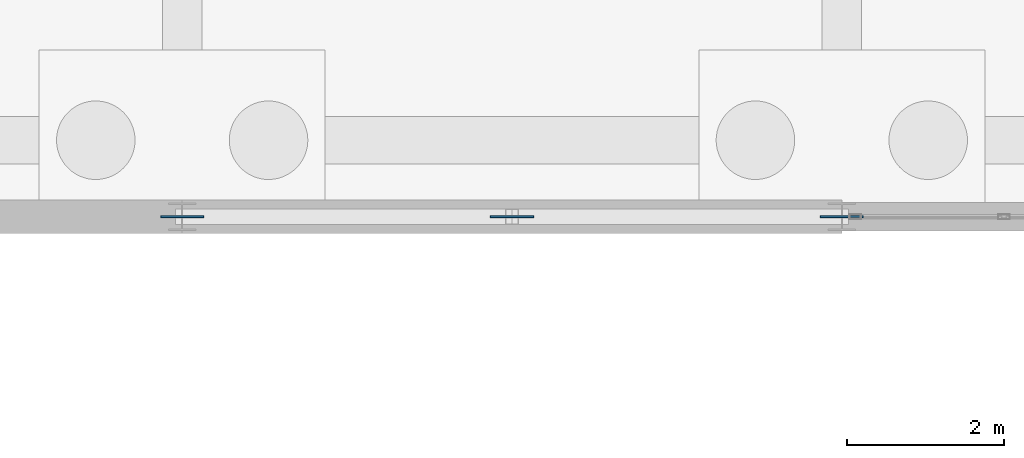
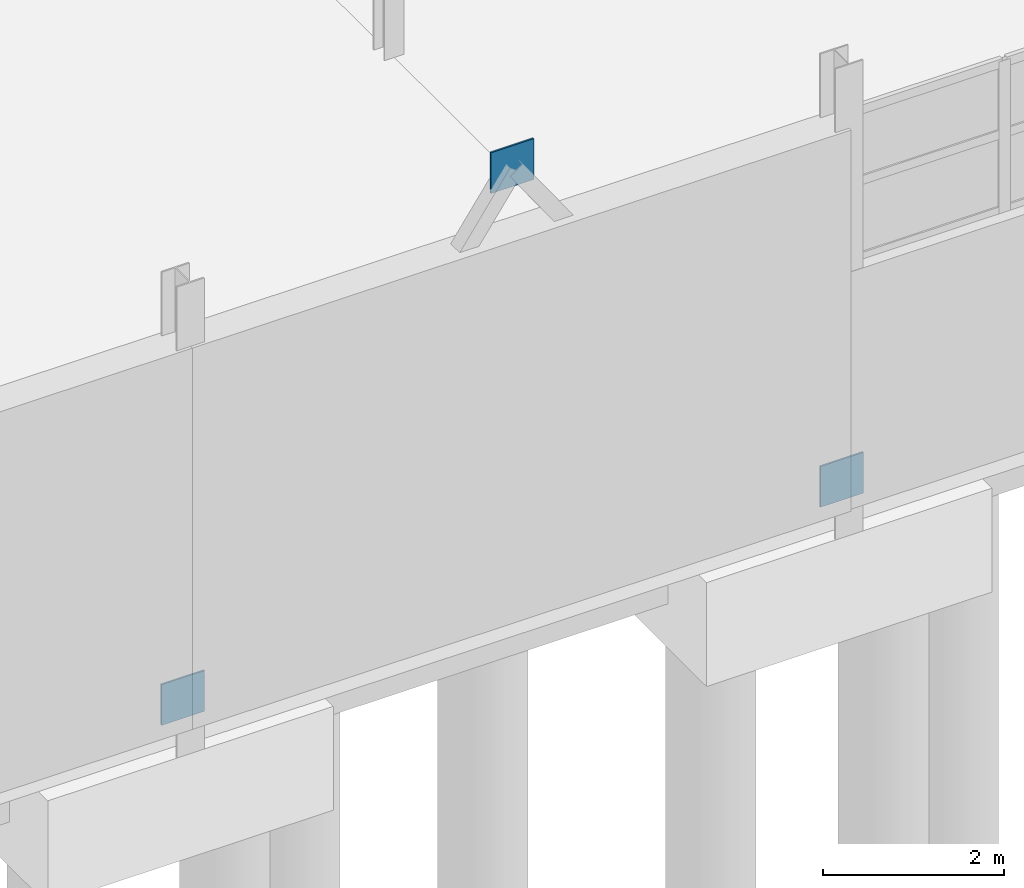
# One storey, part 114 of 139: 3 plates.
"""IFC4 building model written with IfcOpenShell, lengths in metres."""

from ifc_helpers import new_model, si_unit, direction, frame, origin, origin_2d, place, context, subcontext, project, spatial, rectangle, extrude, material, layer, layer_set, type_object, element, save


model = new_model("IFC4")

# Units and contexts
model_context = context("Model", 3, precision=1e-05, world=origin(), true_north=direction((0.0, 1.0)))
body_context = subcontext(model_context, "Body", "Model", "MODEL_VIEW")
ifc_project = project(units=[si_unit("LENGTHUNIT", "METRE"), si_unit("AREAUNIT", "SQUARE_METRE"), si_unit("VOLUMEUNIT", "CUBIC_METRE"), si_unit("PLANEANGLEUNIT", "RADIAN"), si_unit("MASSUNIT", "GRAM", prefix="KILO")], contexts=[model_context])

# Site, building, storey
site_placement = place(None, origin())
site = spatial("IfcSite", under=ifc_project, at=site_placement, CompositionType="ELEMENT")
building_placement = place(site_placement, origin())
building = spatial("IfcBuilding", under=site, at=building_placement, Name="Kazenagashi Tramway Depot", CompositionType="ELEMENT")
storey_placement = place(building_placement, origin())
storey = spatial("IfcBuildingStorey", under=building, at=storey_placement, Name="L01", CompositionType="ELEMENT", Elevation=0.0)

# Plates
ifc_material = material(Name="Steel SN490B", Category="steel")
ifc_layer = layer(ifc_material, 0.022)
ifc_layer_set = layer_set([ifc_layer], Name="Steel SN490B")
plate_type = type_object("IfcPlateType", Name="GP-01", PredefinedType="USERDEFINED", material=ifc_layer_set)
for number, where, z_axis, x_axis, name in (
    (1, (112.0, 70.0, 0.025), (0.0, 0.0, 1.0), (1.0, 0.0, 0.0), "Structural Node Plate GP-01 PLT-0156"),
    (2, (116.2, 70.0, 5.725), (0.0, 0.0, 1.0), (1.0, 0.0, 0.0), "Structural Node Plate GP-01 PLT-0157"),
    (3, (120.4, 70.0, 0.025), (0.0, 0.0, 1.0), (1.0, 0.0, 0.0), "Structural Node Plate GP-01 PLT-0158"),
):
    element("IfcPlate", number, at=place(storey_placement, frame(where, z_axis=z_axis, x_axis=x_axis)), inside=storey, type_object=plate_type, Name=name, ObjectType="GUSSET PLATE", PredefinedType="USERDEFINED", context=body_context, shape_type="SweptSolid", body=[
        extrude(rectangle(XDim=0.55, YDim=0.022, at=origin_2d()), origin(), (0.0, 0.0, 1.0), 0.55),
    ])

save(model, "model.ifc")
